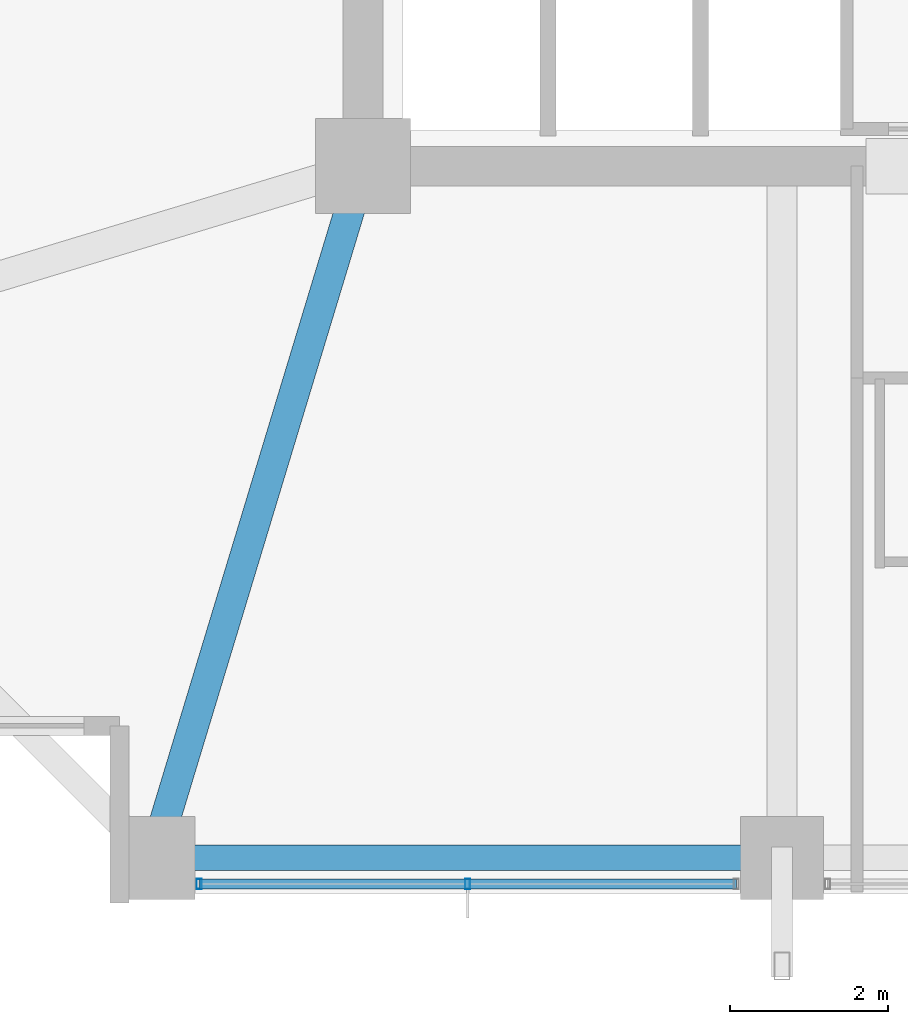
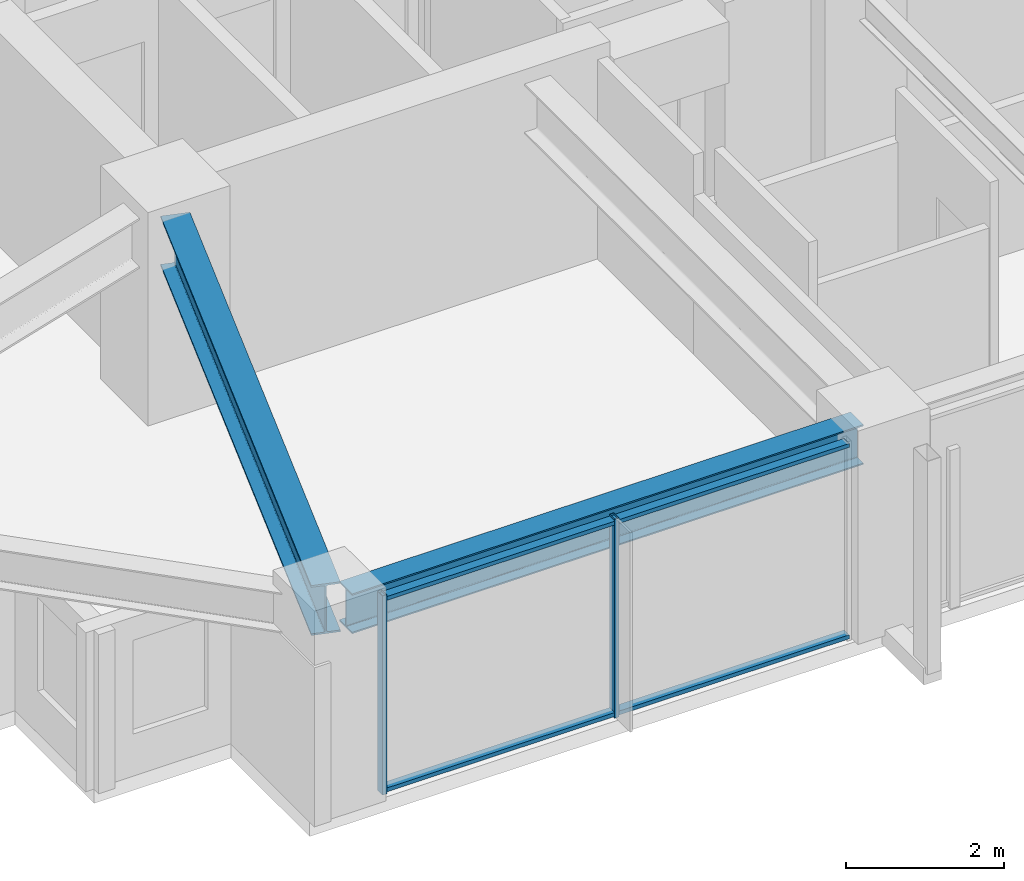
# One storey, part 2 of 35: 4 members, 2 beams, 1 element without a shape of its own.
"""IFC4 building model written with IfcOpenShell, lengths in metres."""

import ifcopenshell
import ifcopenshell.guid

model = None  # the IFC model being written
_history = None  # IfcOwnerHistory: only IFC2X3 demands one
_inside = {}  # id of a spatial element -> (the spatial element, [elements in it])
_under = {}  # id of a project, library or spatial element -> (it, [spatial elements below it])
_declared = {}  # id of a project -> (the project, [libraries it declares])
_typed = {}  # id of a type object -> (the type object, [elements of that type])
_made_of = {}  # id of a material, layer set ... -> (it, [elements and type objects made of it])


def new_model(schema):
    """Start an empty IFC model of exactly this schema.

    Asked for "IFC4X3", IfcOpenShell would pick the latest addendum, in which some entities
    have other attributes; the version numbers below select the first issue.
    IFC2X3 requires an IfcOwnerHistory on every rooted entity: one is made here for all.
    """
    global model, _history
    if schema == "IFC4X3":
        model = ifcopenshell.file(schema_version=(4, 3, 0, 0))
    else:
        model = ifcopenshell.file(schema=schema)
    _inside.clear()
    _under.clear()
    _declared.clear()
    _typed.clear()
    _made_of.clear()
    _history = None
    if model.schema == "IFC2X3":
        org = make("IfcOrganization", Name="unknown")
        user = make(
            "IfcPersonAndOrganization",
            ThePerson=make("IfcPerson", FamilyName="unknown"),
            TheOrganization=org,
        )
        app = make(
            "IfcApplication",
            ApplicationDeveloper=org,
            Version="unknown",
            ApplicationFullName="unknown",
            ApplicationIdentifier="unknown",
        )
        _history = make(
            "IfcOwnerHistory",
            OwningUser=user,
            OwningApplication=app,
            ChangeAction="ADDED",
            CreationDate=0,
        )
    return model


def make(cls, **values):
    """One entity of the class cls with the attributes given. An attribute that is None is left unset."""
    return model.create_entity(
        cls, **{name: value for name, value in values.items() if value is not None}
    )


def rooted(cls, **values):
    """An entity with a GlobalId (a new one), such as an element, a storey or a relation."""
    return make(cls, GlobalId=ifcopenshell.guid.new(), OwnerHistory=_history, **values)


def si_unit(unit_type, name, prefix=None):
    """IfcSIUnit, for example si_unit("LENGTHUNIT", "METRE", prefix="MILLI")."""
    return make("IfcSIUnit", UnitType=unit_type, Prefix=prefix, Name=name)


def assignment(units):
    """IfcUnitAssignment: the units of a project."""
    return None if units is None else make("IfcUnitAssignment", Units=units)


def point(xyz):
    """IfcCartesianPoint."""
    return None if xyz is None else make("IfcCartesianPoint", Coordinates=xyz)


def direction(xyz):
    """IfcDirection."""
    return None if xyz is None else make("IfcDirection", DirectionRatios=xyz)


def frame(location, z_axis=None, x_axis=None):
    """IfcAxis2Placement3D, a coordinate frame: its origin and axes. An axis left out is left unset."""
    return make(
        "IfcAxis2Placement3D",
        Location=point(location),
        Axis=direction(z_axis),
        RefDirection=direction(x_axis),
    )


def frame_2d(location, x_axis=None):
    """IfcAxis2Placement2D, a coordinate frame in the plane: its origin and x axis."""
    return make(
        "IfcAxis2Placement2D", Location=point(location), RefDirection=direction(x_axis)
    )


def origin():
    """The frame at (0, 0, 0) with its axes left unset."""
    return frame((0.0, 0.0, 0.0))


def origin_2d():
    """The frame at (0, 0) in the plane with its x axis left unset."""
    return frame_2d((0.0, 0.0))


def place(relative_to, where):
    """IfcLocalPlacement: puts the frame where relative to a parent placement (None: the world)."""
    return make(
        "IfcLocalPlacement", PlacementRelTo=relative_to, RelativePlacement=where
    )


def context(
    kind, dimensions, precision=None, world=None, true_north=None, identifier=None
):
    """IfcGeometricRepresentationContext, for example the 3D "Model" context."""
    return make(
        "IfcGeometricRepresentationContext",
        ContextIdentifier=identifier,
        ContextType=kind,
        CoordinateSpaceDimension=dimensions,
        Precision=precision,
        WorldCoordinateSystem=world,
        TrueNorth=true_north,
    )


def subcontext(parent, identifier, kind, view, scale=None):
    """IfcGeometricRepresentationSubContext, for example "Body" below "Model"."""
    return make(
        "IfcGeometricRepresentationSubContext",
        ContextIdentifier=identifier,
        ContextType=kind,
        ParentContext=parent,
        TargetScale=scale,
        TargetView=view,
    )


def project(units=None, contexts=None):
    """IfcProject with its units and contexts."""
    return rooted(
        "IfcProject",
        Name="project",
        RepresentationContexts=contexts,
        UnitsInContext=assignment(units),
    )


def spatial(cls, under=None, at=None, **own):
    """A site, building, storey or space (cls), placed at a placement, below another one or the project."""
    s = rooted(cls, ObjectPlacement=at, **own)
    if under is not None:
        _under.setdefault(under.id(), (under, []))[1].append(s)
    return s


def profile(cls, at=None, kind="AREA", **sizes):
    """A parametric profile (cls). Its sizes go by their IFC names, for example OverallWidth=200.0."""
    return make(cls, ProfileType=kind, Position=at, **sizes)


def hollow_rectangle(**sizes):
    """IfcRectangleHollowProfileDef."""
    return profile("IfcRectangleHollowProfileDef", **sizes)


def i_section(**sizes):
    """IfcIShapeProfileDef."""
    return profile("IfcIShapeProfileDef", **sizes)


def extrude(swept, where, along, depth):
    """IfcExtrudedAreaSolid: the profile swept, set in the frame where, extruded along a direction by depth."""
    return make(
        "IfcExtrudedAreaSolid",
        SweptArea=swept,
        Position=where,
        ExtrudedDirection=direction(along),
        Depth=depth,
    )


def shape(context_of_items, identifier, shape_type, items):
    """IfcShapeRepresentation: the items that make up one representation, for example the "Body"."""
    return make(
        "IfcShapeRepresentation",
        ContextOfItems=context_of_items,
        RepresentationIdentifier=identifier,
        RepresentationType=shape_type,
        Items=items,
    )


def material(Name=None, Category=None):
    """IfcMaterial."""
    return make("IfcMaterial", Name=Name, Category=Category)


def material_profile(
    of_material, cross_section, Name=None, Category=None, Priority=None
):
    """IfcMaterialProfile: a cross section and its material."""
    return make(
        "IfcMaterialProfile",
        Name=Name,
        Material=of_material,
        Profile=cross_section,
        Priority=Priority,
        Category=Category,
    )


def profile_set(profiles, Name=None, composite=None):
    """IfcMaterialProfileSet."""
    return make(
        "IfcMaterialProfileSet",
        Name=Name,
        MaterialProfiles=profiles,
        CompositeProfile=composite,
    )


def made_of(thing, what):
    """Note that an element or type object is made of a material, layer set ...; save() writes the relation."""
    if what is not None:
        _made_of.setdefault(what.id(), (what, []))[1].append(thing)
    return thing


def type_object(cls, material=None, **own):
    """A type object (cls), such as IfcWallType, which elements share."""
    return made_of(rooted(cls, **own), material)


def element(
    cls,
    number,
    at=None,
    inside=None,
    cuts=None,
    type_object=None,
    material=None,
    context=None,
    identifier="Body",
    shape_type=None,
    held_by="IfcProductDefinitionShape",
    body=None,
    shapes=None,
    **own,
):
    """One element of the class cls, such as IfcWall. Its Tag is "e" and its number.

    at: its placement. inside: the storey or other place that contains it. cuts: it is an
    opening in that element (IfcRelVoidsElement). A single representation is given by context,
    identifier, shape_type and body (its items); several are given by shapes. held_by: the class
    of the entity that holds the representations. save() writes the other relations.
    """
    e = rooted(cls, Tag="e%d" % number, ObjectPlacement=at, **own)
    if body is not None:
        shapes = [shape(context, identifier, shape_type, body)]
    if shapes is not None:
        e.Representation = make(held_by, Representations=shapes)
    if inside is not None:
        _inside.setdefault(inside.id(), (inside, []))[1].append(e)
    if cuts is not None:
        rooted(
            "IfcRelVoidsElement", RelatingBuildingElement=cuts, RelatedOpeningElement=e
        )
    if type_object is not None:
        _typed.setdefault(type_object.id(), (type_object, []))[1].append(e)
    return made_of(e, material)


def aggregate(whole, parts):
    """IfcRelAggregates: a whole, such as a stair, and the parts it consists of."""
    return rooted("IfcRelAggregates", RelatingObject=whole, RelatedObjects=parts)


def save(model, path):
    """Write the relations noted so far, then the file.

    IfcRelAggregates (storeys below a building ...), IfcRelContainedInSpatialStructure (elements
    in a storey), IfcRelDefinesByType, IfcRelAssociatesMaterial and IfcRelDeclares: one each for
    every whole, place, type object, material and project.
    """
    for whole, parts in _under.values():
        aggregate(whole, parts)
    for where, things in _inside.values():
        rooted(
            "IfcRelContainedInSpatialStructure",
            RelatedElements=things,
            RelatingStructure=where,
        )
    for kind, things in _typed.values():
        rooted("IfcRelDefinesByType", RelatedObjects=things, RelatingType=kind)
    for what, things in _made_of.values():
        rooted("IfcRelAssociatesMaterial", RelatedObjects=things, RelatingMaterial=what)
    for by, libraries in _declared.values():
        rooted("IfcRelDeclares", RelatingContext=by, RelatedDefinitions=libraries)
    model.write(path)


model = new_model("IFC4")

# Units and contexts
model_context = context("Model", 3, precision=1e-05, world=origin(), true_north=direction((0.0, 1.0)))
body_context = subcontext(model_context, "Body", "Model", "MODEL_VIEW")
ifc_project = project(units=[si_unit("LENGTHUNIT", "METRE"), si_unit("AREAUNIT", "SQUARE_METRE"), si_unit("VOLUMEUNIT", "CUBIC_METRE"), si_unit("PLANEANGLEUNIT", "RADIAN"), si_unit("MASSUNIT", "GRAM", prefix="KILO")], contexts=[model_context])

# Site, building, storey
site_placement = place(None, origin())
site = spatial("IfcSite", under=ifc_project, at=site_placement, CompositionType="ELEMENT")
building_placement = place(site_placement, origin())
building = spatial("IfcBuilding", under=site, at=building_placement, Name="Kolvaren Belvedere", CompositionType="ELEMENT")
storey_placement = place(building_placement, frame((0.0, 0.0, 115.10009765625)))
storey = spatial("IfcBuildingStorey", under=building, at=storey_placement, Name="L33", CompositionType="ELEMENT", Elevation=115.10009765625)

# Beams
ifc_material_1 = material(Name="Structural steel ASTM A992 Grade 50", Category="steel")
ifc_material_profile_1 = material_profile(ifc_material_1, i_section(OverallWidth=0.381103515625, OverallDepth=0.77294921875, WebThickness=0.0166015625, FlangeThickness=0.027099609375, FilletRadius=0.02392578125, at=origin_2d()), Name="W30X173")
ifc_profile_set_1 = profile_set([ifc_material_profile_1], Name="Structural steel ASTM A992 Grade 50")
beam_type_1 = type_object("IfcBeamType", Name="BM-GIRD-W30X173", PredefinedType="BEAM", material=ifc_profile_set_1)
beam_1_placement = place(storey_placement, frame((-10.059326171875, -10.426513671875, 2.693359375), z_axis=(-0.289858652454, -0.957069465398, 0.0), x_axis=(0.957069465398, -0.289858652454, 0.0)))
element("IfcBeam", 1, at=beam_1_placement, inside=storey, type_object=beam_type_1, Name="L33 Corner Core-to-Perimeter Girder CC1-S1", PredefinedType="BEAM", context=body_context, shape_type="SweptSolid", body=[
    extrude(i_section(OverallWidth=0.381103515625, OverallDepth=0.77294921875, WebThickness=0.0166015625, FlangeThickness=0.027099609375, FilletRadius=0.02392578125, at=origin_2d()), origin(), (0.0, 0.0, 1.0), 8.38232421875),
])
ifc_material_2 = material(Name="Structural steel ASTM A992 Grade 50", Category="steel")
ifc_material_profile_2 = material_profile(ifc_material_2, i_section(OverallWidth=0.324951171875, OverallDepth=0.615966796875, WebThickness=0.013916015625, FlangeThickness=0.021484375, FilletRadius=0.02001953125, at=origin_2d()), Name="W24X117")
ifc_profile_set_2 = profile_set([ifc_material_profile_2], Name="Structural steel ASTM A992 Grade 50")
beam_type_2 = type_object("IfcBeamType", Name="BM-SPAN-W24X117", PredefinedType="SPANDREL", material=ifc_profile_set_2)
beam_2_placement = place(storey_placement, frame((-12.313720703125, -18.64990234375, 2.77197265625), z_axis=(1.0, 0.0, 0.0), x_axis=(0.0, 1.0, 0.0)))
element("IfcBeam", 2, at=beam_2_placement, inside=storey, type_object=beam_type_2, Name="L33 Perimeter Spandrel S1-S2", PredefinedType="SPANDREL", context=body_context, shape_type="SweptSolid", body=[
    extrude(i_section(OverallWidth=0.324951171875, OverallDepth=0.615966796875, WebThickness=0.013916015625, FlangeThickness=0.021484375, FilletRadius=0.02001953125, at=origin_2d()), origin(), (0.0, 0.0, 1.0), 7.4775390625),
])

# Curtain wall, members
ifc_material_3 = material(Name="Anodised pale-metal aluminium AA 6063-T6", Category="aluminium")
curtain_wall_type = type_object("IfcCurtainWallType", Name="CW-Z3-WAIST", PredefinedType="NOTDEFINED", material=ifc_material_3)
curtain_wall_placement = place(storey_placement, origin())
curtain_wall = element("IfcCurtainWall", 3, at=curtain_wall_placement, inside=storey, type_object=curtain_wall_type, Name="L33 Unitised Curtain Wall FCW-L33-S-B3", PredefinedType="NOTDEFINED")
ifc_material_4 = material(Name="Anodised pale-metal aluminium AA 6063-T6", Category="aluminium")
ifc_material_profile_3 = material_profile(ifc_material_4, hollow_rectangle(XDim=0.06494140625, YDim=0.1298828125, WallThickness=0.00390625, at=origin_2d()), Name="ALU-MUL-130X65")
ifc_profile_set_3 = profile_set([ifc_material_profile_3], Name="Anodised pale-metal aluminium AA 6063-T6")
member_type_1 = type_object("IfcMemberType", Name="CW-MUL-130", PredefinedType="MULLION", material=ifc_profile_set_3)
member_1_placement = place(storey_placement, frame((-8.574951171875, -18.97998046875, 0.0), z_axis=(0.0, 0.0, 1.0), x_axis=(1.0, 0.0, 0.0)))
member_1 = element("IfcMember", 4, at=member_1_placement, type_object=member_type_1, Name="FCW-L33-S-B3 Unitised Mullion 2", PredefinedType="MULLION", context=body_context, shape_type="SweptSolid", body=[
    extrude(hollow_rectangle(XDim=0.06494140625, YDim=0.1298828125, WallThickness=0.00390625, at=origin_2d()), origin(), (0.0, 0.0, 1.0), 3.079833984375),
])
member_2_placement = place(storey_placement, frame((-11.972412109375, -18.97998046875, 0.0), z_axis=(0.0, 0.0, 1.0), x_axis=(1.0, 0.0, 0.0)))
member_2 = element("IfcMember", 5, at=member_2_placement, type_object=member_type_1, Name="FCW-L33-S-B3 Unitised Mullion 3", PredefinedType="MULLION", context=body_context, shape_type="SweptSolid", body=[
    extrude(hollow_rectangle(XDim=0.06494140625, YDim=0.1298828125, WallThickness=0.00390625, at=origin_2d()), origin(), (0.0, 0.0, 1.0), 3.079833984375),
])
ifc_material_5 = material(Name="Anodised pale-metal aluminium AA 6063-T6", Category="aluminium")
ifc_material_profile_4 = material_profile(ifc_material_5, hollow_rectangle(XDim=0.06005859375, YDim=0.1298828125, WallThickness=0.00390625, at=origin_2d()), Name="ALU-TRN-130X60")
ifc_profile_set_4 = profile_set([ifc_material_profile_4], Name="Anodised pale-metal aluminium AA 6063-T6")
member_type_2 = type_object("IfcMemberType", Name="CW-TRN-130", PredefinedType="USERDEFINED", material=ifc_profile_set_4)
member_3_placement = place(storey_placement, frame((-5.177490234375, -18.97998046875, 0.059814453125), z_axis=(-1.0, 0.0, 0.0), x_axis=(0.0, 0.0, 1.0)))
member_3 = element("IfcMember", 6, at=member_3_placement, type_object=member_type_2, Name="FCW-L33-S-B3 Sill Transom", ObjectType="TRANSOM", PredefinedType="USERDEFINED", context=body_context, shape_type="SweptSolid", body=[
    extrude(hollow_rectangle(XDim=0.06005859375, YDim=0.1298828125, WallThickness=0.00390625, at=origin_2d()), origin(), (0.0, 0.0, 1.0), 6.794921875),
])
member_4_placement = place(storey_placement, frame((-5.177490234375, -18.97998046875, 3.02001953125), z_axis=(-1.0, 0.0, 0.0), x_axis=(0.0, 0.0, 1.0)))
member_4 = element("IfcMember", 7, at=member_4_placement, type_object=member_type_2, Name="FCW-L33-S-B3 Head Transom", ObjectType="TRANSOM", PredefinedType="USERDEFINED", context=body_context, shape_type="SweptSolid", body=[
    extrude(hollow_rectangle(XDim=0.06005859375, YDim=0.1298828125, WallThickness=0.00390625, at=origin_2d()), origin(), (0.0, 0.0, 1.0), 6.794921875),
])
aggregate(curtain_wall, [member_1, member_2, member_3, member_4])

save(model, "model.ifc")
